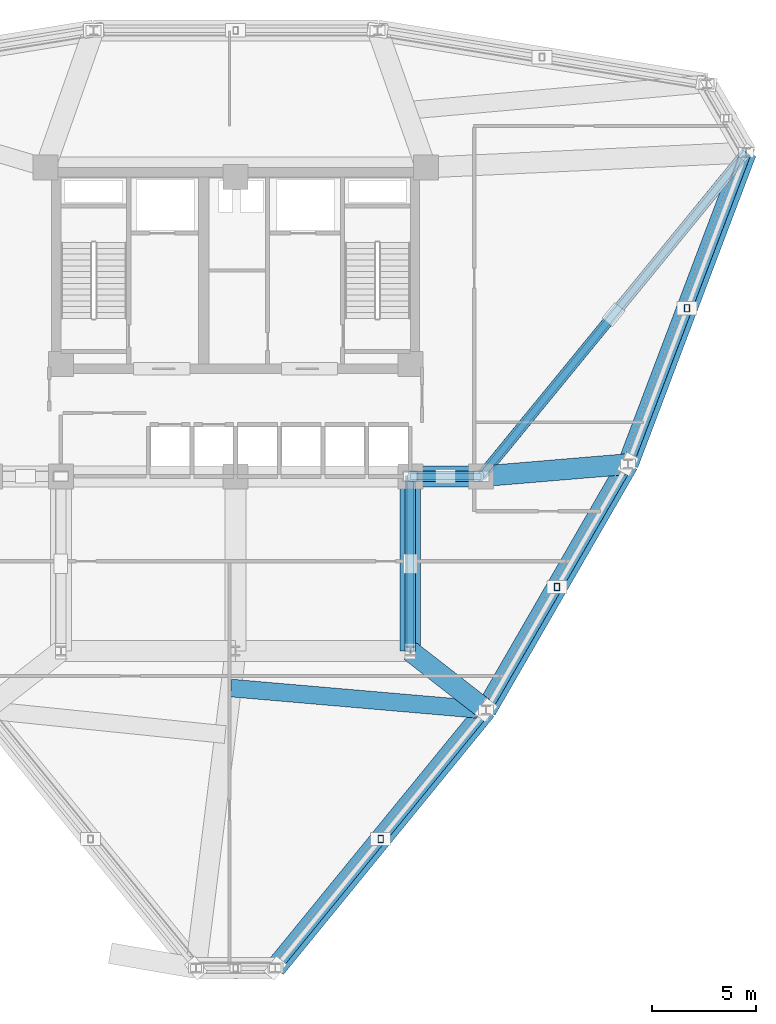
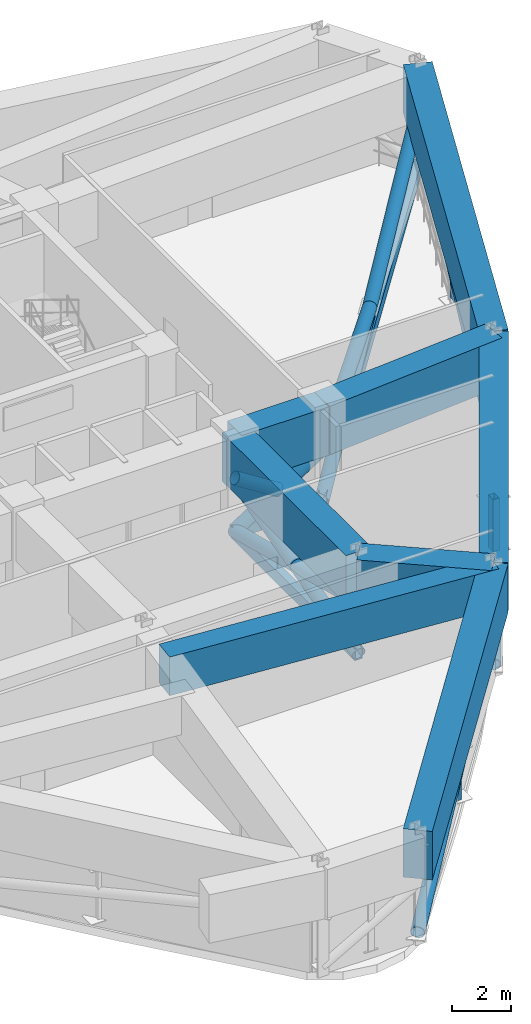
# One storey, part 4 of 13: 17 members, 8 beams.
"""IFC4 building model written with IfcOpenShell, lengths in metres."""

from ifc_helpers import new_model, si_unit, derived_unit, direction, frame, origin, origin_2d, place, context, subcontext, project, spatial, rectangle, hollow_rectangle, hollow_circle, extrude, source, transform, mapped, material, material_profile, profile_set, type_object, element, save


model = new_model("IFC4")

# Units and contexts
model_context = context("Model", 3, precision=1e-05, world=origin(), true_north=direction((0.0, 1.0)))
body_context = subcontext(model_context, "Body", "Model", "MODEL_VIEW")
ifc_project = project(units=[si_unit("LENGTHUNIT", "METRE"), si_unit("AREAUNIT", "SQUARE_METRE"), si_unit("VOLUMEUNIT", "CUBIC_METRE"), si_unit("PLANEANGLEUNIT", "RADIAN"), si_unit("MASSUNIT", "GRAM", prefix="KILO"), derived_unit("THERMALTRANSMITTANCEUNIT", [(si_unit("POWERUNIT", "WATT"), 1), (si_unit("LENGTHUNIT", "METRE"), -2), (si_unit("THERMODYNAMICTEMPERATUREUNIT", "KELVIN"), -1)])], contexts=[model_context])

# Site, building, storey
site_placement = place(None, origin())
site = spatial("IfcSite", under=ifc_project, at=site_placement, CompositionType="ELEMENT")
building_placement = place(site_placement, origin())
building = spatial("IfcBuilding", under=site, at=building_placement, Name="Korsvarv Bourse and Concert Hall", CompositionType="ELEMENT")
storey_placement = place(building_placement, frame((0.0, 0.0, 131.39990234375)))
storey = spatial("IfcBuildingStorey", under=building, at=storey_placement, Name="L33", CompositionType="ELEMENT", Elevation=131.39990234375)

# Beams
ifc_material_1 = material(Name="Concrete C60/75", Category="concrete")
ifc_material_profile_1 = material_profile(ifc_material_1, rectangle(XDim=1.0, YDim=2.0, at=origin_2d()), Name="RC-BM 1000x2000")
ifc_profile_set_1 = profile_set([ifc_material_profile_1], Name="Concrete C60/75")
beam_type_1 = type_object("IfcBeamType", Name="BM-TR1", PredefinedType="BEAM", material=ifc_profile_set_1)
shared_shape_1 = source(origin(), body_context, "Body", "SweptSolid", [
    extrude(rectangle(XDim=1.0, YDim=2.0, at=origin_2d()), origin(), (0.0, 0.0, 1.0), 8.39990234375),
])
beam_1_placement = place(storey_placement, frame((44.39990234375, 24.0, 3.570068359375), z_axis=(0.0, 1.0, 0.0), x_axis=(-1.0, 0.0, 0.0)))
element("IfcBeam", 1, at=beam_1_placement, inside=storey, type_object=beam_type_1, Name="L33 beam B-TR1", PredefinedType="BEAM", context=body_context, shape_type="MappedRepresentation", body=[
    mapped(shared_shape_1, transform((0.0, 0.0, 0.0), scale=1.0)),
])
shared_shape_2 = source(origin(), body_context, "Body", "SweptSolid", [
    extrude(rectangle(XDim=1.0, YDim=2.0, at=origin_2d()), origin(), (0.0, 0.0, 1.0), 3.400146484375),
])
beam_2_placement = place(storey_placement, frame((44.39990234375, 32.39990234375, 3.570068359375), z_axis=(1.0, 0.0, 0.0), x_axis=(0.0, 1.0, 0.0)))
element("IfcBeam", 2, at=beam_2_placement, inside=storey, type_object=beam_type_1, Name="L33 beam B-TR1", PredefinedType="BEAM", context=body_context, shape_type="MappedRepresentation", body=[
    mapped(shared_shape_2, transform((0.0, 0.0, 0.0), scale=1.0)),
])

# Members
ifc_material_2 = material(Name="Steel S460", Category="steel")
ifc_material_profile_2 = material_profile(ifc_material_2, hollow_rectangle(XDim=0.300048828125, YDim=0.5, WallThickness=0.02001953125, at=origin_2d()), Name="RHS 500x300x20")
ifc_profile_set_2 = profile_set([ifc_material_profile_2], Name="Steel S460")
member_type_1 = type_object("IfcMemberType", Name="MEM-RHS500", PredefinedType="CHORD", material=ifc_profile_set_2)
shared_shape_3 = source(origin(), body_context, "Body", "SweptSolid", [
    extrude(hollow_rectangle(XDim=0.300048828125, YDim=0.5, WallThickness=0.02001953125, at=origin_2d()), origin(), (0.0, 0.0, 1.0), 3.400146484375),
])
member_1_placement = place(storey_placement, frame((44.39990234375, 32.39990234375, 0.35009765625), z_axis=(1.0, 0.0, 0.0), x_axis=(0.0, 1.0, 0.0)))
element("IfcMember", 3, at=member_1_placement, inside=storey, type_object=member_type_1, Name="L33 Outrigger Truss E1 Bottom Chord", PredefinedType="CHORD", context=body_context, shape_type="MappedRepresentation", body=[
    mapped(shared_shape_3, transform((0.0, 0.0, 0.0), scale=1.0)),
])
shared_shape_4 = source(origin(), body_context, "Body", "SweptSolid", [
    extrude(hollow_rectangle(XDim=0.300048828125, YDim=0.5, WallThickness=0.02001953125, at=origin_2d()), origin(), (0.0, 0.0, 1.0), 8.39990234375),
])
member_2_placement = place(storey_placement, frame((44.39990234375, 32.39990234375, 0.35009765625), z_axis=(0.0, -1.0, 0.0), x_axis=(1.0, 0.0, 0.0)))
element("IfcMember", 4, at=member_2_placement, inside=storey, type_object=member_type_1, Name="L33 Outrigger Truss S2 Bottom Chord", PredefinedType="CHORD", context=body_context, shape_type="MappedRepresentation", body=[
    mapped(shared_shape_4, transform((0.0, 0.0, 0.0), scale=1.0)),
])

# Beams
shared_shape_5 = source(origin(), body_context, "Body", "SweptSolid", [
    extrude(rectangle(XDim=1.0, YDim=2.0, at=origin_2d()), origin(), (0.0, 0.0, 1.0), 13.6533203125),
])
beam_3_placement = place(storey_placement, frame((48.03759765625, 21.167236328125, 3.570068359375), z_axis=(0.499996939111, 0.866027170982, 0.0), x_axis=(-0.866027170982, 0.499996939111, 0.0)))
element("IfcBeam", 5, at=beam_3_placement, inside=storey, type_object=beam_type_1, Name="L33 beam B-TR1", PredefinedType="BEAM", context=body_context, shape_type="MappedRepresentation", body=[
    mapped(shared_shape_5, transform((0.0, 0.0, 0.0), scale=1.0)),
])
shared_shape_6 = source(origin(), body_context, "Body", "SweptSolid", [
    extrude(rectangle(XDim=1.0, YDim=2.0, at=origin_2d()), origin(), (0.0, 0.0, 1.0), 16.0146484375),
])
for number, where, z_axis, x_axis, name in (
    (6, (37.907958984375, 8.76318359375, 3.570068359375), (0.632521919704, 0.774542459194, 0.0), (-0.774542459194, 0.632521919704, 0.0), "L33 beam B-TR1"),
    (7, (54.8642578125, 32.991455078125, 3.570068359375), (0.354515902653, 0.93504998517, 0.0), (-0.93504998517, 0.354515902653, 0.0), "L33 beam B-TR1"),
):
    element("IfcBeam", number, at=place(storey_placement, frame(where, z_axis=z_axis, x_axis=x_axis)), inside=storey, type_object=beam_type_1, Name=name, PredefinedType="BEAM", context=body_context, shape_type="MappedRepresentation", body=[
        mapped(shared_shape_6, transform((0.0, 0.0, 0.0), scale=1.0)),
    ])
shared_shape_7 = source(origin(), body_context, "Body", "SweptSolid", [
    extrude(rectangle(XDim=1.0, YDim=2.0, at=origin_2d()), origin(), (0.0, 0.0, 1.0), 7.0888671875),
])
beam_4_placement = place(storey_placement, frame((54.8642578125, 32.991455078125, 3.570068359375), z_axis=(-0.996512187592, -0.083447348558, 0.0), x_axis=(0.083447348558, -0.996512187592, 0.0)))
element("IfcBeam", 8, at=beam_4_placement, inside=storey, type_object=beam_type_1, Name="L33 beam B-TR1", PredefinedType="BEAM", context=body_context, shape_type="MappedRepresentation", body=[
    mapped(shared_shape_7, transform((0.0, 0.0, 0.0), scale=1.0)),
])
shared_shape_8 = source(origin(), body_context, "Body", "SweptSolid", [
    extrude(rectangle(XDim=1.0, YDim=2.0, at=origin_2d()), origin(), (0.0, 0.0, 1.0), 4.610595703125),
])
beam_5_placement = place(storey_placement, frame((48.03759765625, 21.167236328125, 3.570068359375), z_axis=(-0.788989967488, 0.614406080051, 0.0), x_axis=(-0.614406080051, -0.788989967488, 0.0)))
element("IfcBeam", 9, at=beam_5_placement, inside=storey, type_object=beam_type_1, Name="L33 beam B-TR1", PredefinedType="BEAM", context=body_context, shape_type="MappedRepresentation", body=[
    mapped(shared_shape_8, transform((0.0, 0.0, 0.0), scale=1.0)),
])
ifc_material_3 = material(Name="Concrete C55/67", Category="concrete")
ifc_material_profile_3 = material_profile(ifc_material_3, rectangle(XDim=0.85009765625, YDim=1.60009765625, at=origin_2d()), Name="RC-BM 850x1600")
ifc_profile_set_3 = profile_set([ifc_material_profile_3], Name="Concrete C55/67")
beam_type_2 = type_object("IfcBeamType", Name="BM-TR1B", PredefinedType="BEAM", material=ifc_profile_set_3)
shared_shape_9 = source(origin(), body_context, "Body", "SweptSolid", [
    extrude(rectangle(XDim=0.85009765625, YDim=1.60009765625, at=origin_2d()), origin(), (0.0, 0.0, 1.0), 12.305419921875),
])
beam_6_placement = place(storey_placement, frame((48.03759765625, 21.167236328125, 3.77001953125), z_axis=(-0.996294516884, 0.086007183581, 0.0), x_axis=(-0.086007183581, -0.996294516884, 0.0)))
element("IfcBeam", 10, at=beam_6_placement, inside=storey, type_object=beam_type_2, Name="L33 beam B-TR2", PredefinedType="BEAM", context=body_context, shape_type="MappedRepresentation", body=[
    mapped(shared_shape_9, transform((0.0, 0.0, 0.0), scale=1.0)),
])

# Members
ifc_material_profile_4 = material_profile(ifc_material_2, hollow_circle(Radius=0.25390625, WallThickness=0.02001953125, at=origin_2d()), Name="CHS 508x20")
ifc_profile_set_4 = profile_set([ifc_material_profile_4], Name="Steel S460")
member_type_2 = type_object("IfcMemberType", Name="MEM-CHS508", PredefinedType="BRACE", material=ifc_profile_set_4)
shared_shape_10 = source(origin(), body_context, "Body", "SweptSolid", [
    extrude(hollow_circle(Radius=0.25390625, WallThickness=0.02001953125, at=origin_2d()), origin(), (0.0, 0.0, 1.0), 4.033447265625),
])
member_3_placement = place(storey_placement, frame((44.39990234375, 32.39990234375, 0.35009765625), z_axis=(0.842965426826, 0.0, 0.537967739903), x_axis=(0.0, 1.0, 0.0)))
element("IfcMember", 11, at=member_3_placement, inside=storey, type_object=member_type_2, Name="L33 Outrigger Truss E1 Diagonal 1", PredefinedType="BRACE", context=body_context, shape_type="MappedRepresentation", body=[
    mapped(shared_shape_10, transform((0.0, 0.0, 0.0), scale=1.0)),
])
shared_shape_11 = source(origin(), body_context, "Body", "SweptSolid", [
    extrude(hollow_circle(Radius=0.25390625, WallThickness=0.02001953125, at=origin_2d()), origin(), (0.0, 0.0, 1.0), 2.0166015625),
])
member_4_placement = place(storey_placement, frame((47.800048828125, 32.39990234375, 0.35009765625), z_axis=(-0.842947908287, 0.0, 0.537995189491), x_axis=(0.0, -1.0, 0.0)))
element("IfcMember", 12, at=member_4_placement, inside=storey, type_object=member_type_2, Name="L33 Outrigger Truss E1 Split Diagonal 2A", PredefinedType="BRACE", context=body_context, shape_type="MappedRepresentation", body=[
    mapped(shared_shape_11, transform((0.0, 0.0, 0.0), scale=1.0)),
])
shared_shape_12 = source(origin(), body_context, "Body", "SweptSolid", [
    extrude(hollow_circle(Radius=0.25390625, WallThickness=0.02001953125, at=origin_2d()), origin(), (0.0, 0.0, 1.0), 2.016845703125),
])
member_5_placement = place(storey_placement, frame((46.10009765625, 32.39990234375, 1.43505859375), z_axis=(-0.842982942684, 0.0, 0.537940292546), x_axis=(0.0, -1.0, 0.0)))
element("IfcMember", 13, at=member_5_placement, inside=storey, type_object=member_type_2, Name="L33 Outrigger Truss E1 Split Diagonal 2B", PredefinedType="BRACE", context=body_context, shape_type="MappedRepresentation", body=[
    mapped(shared_shape_12, transform((0.0, 0.0, 0.0), scale=1.0)),
])
shared_shape_13 = source(origin(), body_context, "Body", "SweptSolid", [
    extrude(hollow_rectangle(XDim=0.300048828125, YDim=0.5, WallThickness=0.02001953125, at=origin_2d()), origin(), (0.0, 0.0, 1.0), 20.115966796875),
])
member_6_placement = place(storey_placement, frame((47.800048828125, 32.39990234375, 0.35009765625), z_axis=(0.63340894884, 0.773817228762, 0.0), x_axis=(-0.773817228762, 0.63340894884, 0.0)))
element("IfcMember", 14, at=member_6_placement, inside=storey, type_object=member_type_1, Name="L33 Outrigger Truss E2 Bottom Chord", PredefinedType="CHORD", context=body_context, shape_type="MappedRepresentation", body=[
    mapped(shared_shape_13, transform((0.0, 0.0, 0.0), scale=1.0)),
])
shared_shape_14 = source(origin(), body_context, "Body", "SweptSolid", [
    extrude(hollow_circle(Radius=0.25390625, WallThickness=0.02001953125, at=origin_2d()), origin(), (0.0, 0.0, 1.0), 20.232666015625),
])
member_7_placement = place(storey_placement, frame((47.800048828125, 32.39990234375, 0.35009765625), z_axis=(0.629755642593, 0.76935409113, 0.107247904797), x_axis=(-0.773817228762, 0.63340894884, 0.0)))
element("IfcMember", 15, at=member_7_placement, inside=storey, type_object=member_type_2, Name="L33 Outrigger Truss E2 Diagonal 1", PredefinedType="BRACE", context=body_context, shape_type="MappedRepresentation", body=[
    mapped(shared_shape_14, transform((0.0, 0.0, 0.0), scale=1.0)),
])
shared_shape_15 = source(origin(), body_context, "Body", "SweptSolid", [
    extrude(hollow_circle(Radius=0.25390625, WallThickness=0.02001953125, at=origin_2d()), origin(), (0.0, 0.0, 1.0), 10.116455078125),
])
member_8_placement = place(storey_placement, frame((54.1708984375, 40.18310546875, 1.43505859375), z_axis=(-0.629749796302, -0.769359015371, 0.107246909169), x_axis=(0.77382209798, -0.633403000213, 0.0)))
element("IfcMember", 16, at=member_8_placement, inside=storey, type_object=member_type_2, Name="L33 Outrigger Truss E2 Split Diagonal 2B", PredefinedType="BRACE", context=body_context, shape_type="MappedRepresentation", body=[
    mapped(shared_shape_15, transform((0.0, 0.0, 0.0), scale=1.0)),
])
shared_shape_16 = source(origin(), body_context, "Body", "SweptSolid", [
    extrude(hollow_circle(Radius=0.25390625, WallThickness=0.02001953125, at=origin_2d()), origin(), (0.0, 0.0, 1.0), 8.675537109375),
])
member_9_placement = place(storey_placement, frame((44.39990234375, 32.39990234375, 0.35009765625), z_axis=(0.0, -0.968215796223, 0.250116316829), x_axis=(1.0, 0.0, 0.0)))
element("IfcMember", 17, at=member_9_placement, inside=storey, type_object=member_type_2, Name="L33 Outrigger Truss S2 Diagonal 1", PredefinedType="BRACE", context=body_context, shape_type="MappedRepresentation", body=[
    mapped(shared_shape_16, transform((0.0, 0.0, 0.0), scale=1.0)),
])
shared_shape_17 = source(origin(), body_context, "Body", "SweptSolid", [
    extrude(hollow_circle(Radius=0.25390625, WallThickness=0.02001953125, at=origin_2d()), origin(), (0.0, 0.0, 1.0), 4.337890625),
])
for number, where, z_axis, x_axis, name in (
    (18, (44.39990234375, 24.0, 0.35009765625), (0.0, 0.968215796223, 0.250116316829), (-1.0, 0.0, 0.0), "L33 Outrigger Truss S2 Split Diagonal 2A"),
    (19, (44.39990234375, 28.199951171875, 1.43505859375), (0.0, 0.968215796223, 0.250116316829), (-1.0, 0.0, 0.0), "L33 Outrigger Truss S2 Split Diagonal 2B"),
):
    element("IfcMember", number, at=place(storey_placement, frame(where, z_axis=z_axis, x_axis=x_axis)), inside=storey, type_object=member_type_2, Name=name, PredefinedType="BRACE", context=body_context, shape_type="MappedRepresentation", body=[
        mapped(shared_shape_17, transform((0.0, 0.0, 0.0), scale=1.0)),
    ])
ifc_material_4 = material(Name="Steel S355", Category="steel")
ifc_material_profile_5 = material_profile(ifc_material_4, hollow_rectangle(XDim=0.25, YDim=0.35009765625, WallThickness=0.012451171875, at=origin_2d()), Name="RHS 350x250x12.5")
ifc_profile_set_5 = profile_set([ifc_material_profile_5], Name="Steel S355")
member_type_3 = type_object("IfcMemberType", Name="MEM-RHS350", PredefinedType="STRUT", material=ifc_profile_set_5)
shared_shape_18 = source(origin(), body_context, "Body", "SweptSolid", [
    extrude(hollow_rectangle(XDim=0.25, YDim=0.35009765625, WallThickness=0.012451171875, at=origin_2d()), origin(), (0.0, 0.0, 1.0), 2.169921875),
])
for number, where, z_axis, x_axis, name in (
    (20, (42.972900390625, 14.965087890625, 0.35009765625), (0.0, 0.0, 1.0), (1.0, 0.0, 0.0), "L33 Perimeter Belt Truss Strut 10"),
    (21, (51.450927734375, 27.079345703125, 0.35009765625), (0.0, 0.0, 1.0), (1.0, 0.0, 0.0), "L33 Perimeter Belt Truss Strut 11"),
    (22, (57.703125, 40.478759765625, 0.35009765625), (0.0, 0.0, 1.0), (1.0, 0.0, 0.0), "L33 Perimeter Belt Truss Strut 12"),
):
    element("IfcMember", number, at=place(storey_placement, frame(where, z_axis=z_axis, x_axis=x_axis)), inside=storey, type_object=member_type_3, Name=name, PredefinedType="STRUT", context=body_context, shape_type="MappedRepresentation", body=[
        mapped(shared_shape_18, transform((0.0, 0.0, 0.0), scale=1.0)),
    ])
shared_shape_19 = source(origin(), body_context, "Body", "SweptSolid", [
    extrude(hollow_circle(Radius=0.25390625, WallThickness=0.02001953125, at=origin_2d()), origin(), (0.0, 0.0, 1.0), 16.1611328125),
])
for number, where, z_axis, x_axis, name in (
    (23, (37.907958984375, 8.76318359375, 0.35009765625), (0.626794396876, 0.767528932107, 0.134268843832), (-0.774542459194, 0.632521919704, 0.0), "L33 Perimeter Belt Truss Diagonal 10"),
    (24, (54.8642578125, 32.991455078125, 0.35009765625), (0.351305774056, 0.926583141581, 0.134268145337), (-0.93504998517, 0.354515902653, 0.0), "L33 Perimeter Belt Truss Diagonal 12"),
):
    element("IfcMember", number, at=place(storey_placement, frame(where, z_axis=z_axis, x_axis=x_axis)), inside=storey, type_object=member_type_2, Name=name, PredefinedType="BRACE", context=body_context, shape_type="MappedRepresentation", body=[
        mapped(shared_shape_19, transform((0.0, 0.0, 0.0), scale=1.0)),
    ])
shared_shape_20 = source(origin(), body_context, "Body", "SweptSolid", [
    extrude(hollow_circle(Radius=0.25390625, WallThickness=0.02001953125, at=origin_2d()), origin(), (0.0, 0.0, 1.0), 13.82470703125),
])
member_10_placement = place(storey_placement, frame((48.03759765625, 21.167236328125, 0.35009765625), z_axis=(0.49379952931, 0.855292854715, 0.156959095076), x_axis=(-0.866027170982, 0.499996939111, 0.0)))
element("IfcMember", 25, at=member_10_placement, inside=storey, type_object=member_type_2, Name="L33 Perimeter Belt Truss Diagonal 11", PredefinedType="BRACE", context=body_context, shape_type="MappedRepresentation", body=[
    mapped(shared_shape_20, transform((0.0, 0.0, 0.0), scale=1.0)),
])

save(model, "model.ifc")
